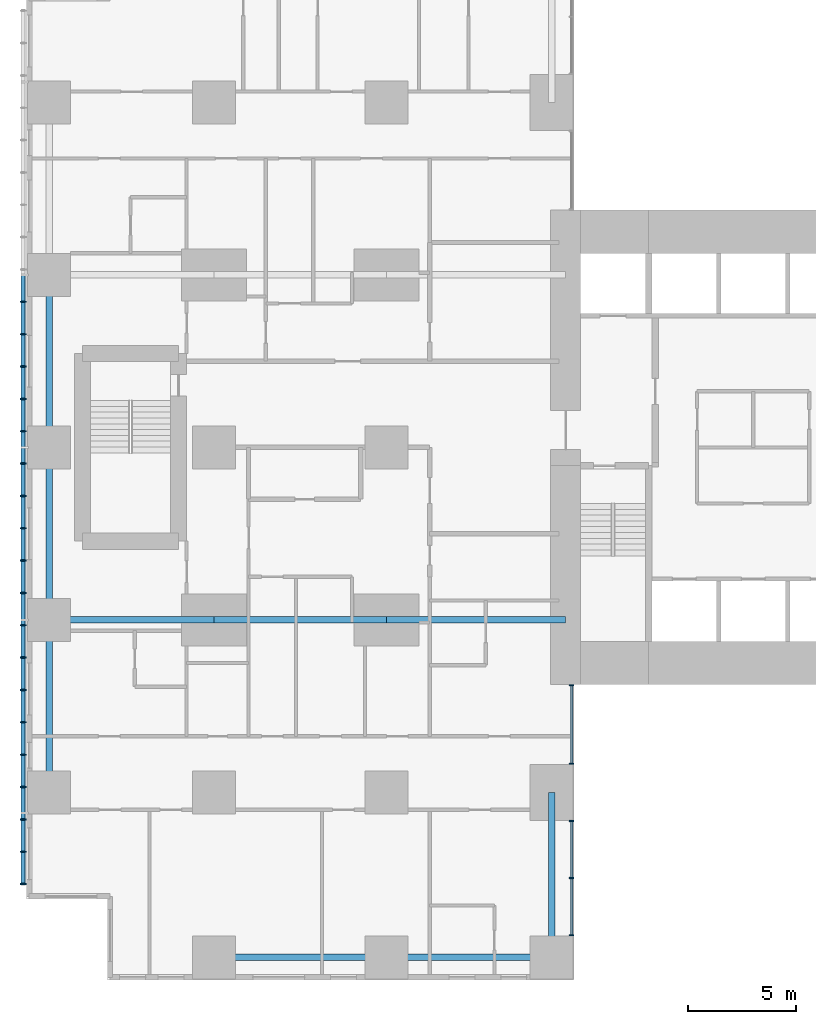
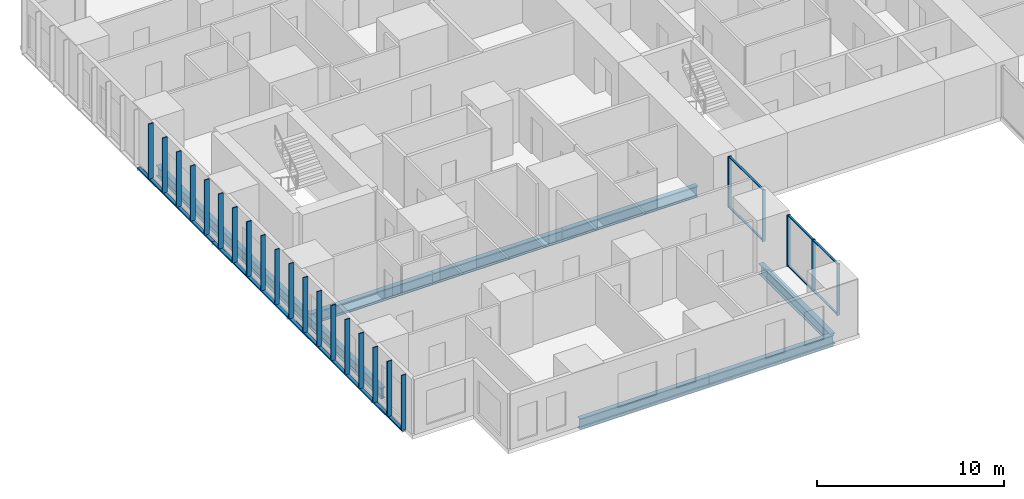
# One storey, part 2 of 20: 33 members, 9 beams, 2 elements without a shape of their own.
"""IFC4 building model written with IfcOpenShell, lengths in metres."""

import ifcopenshell
import ifcopenshell.guid

model = None  # the IFC model being written
_history = None  # IfcOwnerHistory: only IFC2X3 demands one
_inside = {}  # id of a spatial element -> (the spatial element, [elements in it])
_under = {}  # id of a project, library or spatial element -> (it, [spatial elements below it])
_declared = {}  # id of a project -> (the project, [libraries it declares])
_typed = {}  # id of a type object -> (the type object, [elements of that type])
_made_of = {}  # id of a material, layer set ... -> (it, [elements and type objects made of it])


def new_model(schema):
    """Start an empty IFC model of exactly this schema.

    Asked for "IFC4X3", IfcOpenShell would pick the latest addendum, in which some entities
    have other attributes; the version numbers below select the first issue.
    IFC2X3 requires an IfcOwnerHistory on every rooted entity: one is made here for all.
    """
    global model, _history
    if schema == "IFC4X3":
        model = ifcopenshell.file(schema_version=(4, 3, 0, 0))
    else:
        model = ifcopenshell.file(schema=schema)
    _inside.clear()
    _under.clear()
    _declared.clear()
    _typed.clear()
    _made_of.clear()
    _history = None
    if model.schema == "IFC2X3":
        org = make("IfcOrganization", Name="unknown")
        user = make(
            "IfcPersonAndOrganization",
            ThePerson=make("IfcPerson", FamilyName="unknown"),
            TheOrganization=org,
        )
        app = make(
            "IfcApplication",
            ApplicationDeveloper=org,
            Version="unknown",
            ApplicationFullName="unknown",
            ApplicationIdentifier="unknown",
        )
        _history = make(
            "IfcOwnerHistory",
            OwningUser=user,
            OwningApplication=app,
            ChangeAction="ADDED",
            CreationDate=0,
        )
    return model


def make(cls, **values):
    """One entity of the class cls with the attributes given. An attribute that is None is left unset."""
    return model.create_entity(
        cls, **{name: value for name, value in values.items() if value is not None}
    )


def rooted(cls, **values):
    """An entity with a GlobalId (a new one), such as an element, a storey or a relation."""
    return make(cls, GlobalId=ifcopenshell.guid.new(), OwnerHistory=_history, **values)


def si_unit(unit_type, name, prefix=None):
    """IfcSIUnit, for example si_unit("LENGTHUNIT", "METRE", prefix="MILLI")."""
    return make("IfcSIUnit", UnitType=unit_type, Prefix=prefix, Name=name)


def assignment(units):
    """IfcUnitAssignment: the units of a project."""
    return None if units is None else make("IfcUnitAssignment", Units=units)


def point(xyz):
    """IfcCartesianPoint."""
    return None if xyz is None else make("IfcCartesianPoint", Coordinates=xyz)


def direction(xyz):
    """IfcDirection."""
    return None if xyz is None else make("IfcDirection", DirectionRatios=xyz)


def frame(location, z_axis=None, x_axis=None):
    """IfcAxis2Placement3D, a coordinate frame: its origin and axes. An axis left out is left unset."""
    return make(
        "IfcAxis2Placement3D",
        Location=point(location),
        Axis=direction(z_axis),
        RefDirection=direction(x_axis),
    )


def frame_2d(location, x_axis=None):
    """IfcAxis2Placement2D, a coordinate frame in the plane: its origin and x axis."""
    return make(
        "IfcAxis2Placement2D", Location=point(location), RefDirection=direction(x_axis)
    )


def origin():
    """The frame at (0, 0, 0) with its axes left unset."""
    return frame((0.0, 0.0, 0.0))


def origin_2d():
    """The frame at (0, 0) in the plane with its x axis left unset."""
    return frame_2d((0.0, 0.0))


def place(relative_to, where):
    """IfcLocalPlacement: puts the frame where relative to a parent placement (None: the world)."""
    return make(
        "IfcLocalPlacement", PlacementRelTo=relative_to, RelativePlacement=where
    )


def context(
    kind, dimensions, precision=None, world=None, true_north=None, identifier=None
):
    """IfcGeometricRepresentationContext, for example the 3D "Model" context."""
    return make(
        "IfcGeometricRepresentationContext",
        ContextIdentifier=identifier,
        ContextType=kind,
        CoordinateSpaceDimension=dimensions,
        Precision=precision,
        WorldCoordinateSystem=world,
        TrueNorth=true_north,
    )


def subcontext(parent, identifier, kind, view, scale=None):
    """IfcGeometricRepresentationSubContext, for example "Body" below "Model"."""
    return make(
        "IfcGeometricRepresentationSubContext",
        ContextIdentifier=identifier,
        ContextType=kind,
        ParentContext=parent,
        TargetScale=scale,
        TargetView=view,
    )


def project(units=None, contexts=None):
    """IfcProject with its units and contexts."""
    return rooted(
        "IfcProject",
        Name="project",
        RepresentationContexts=contexts,
        UnitsInContext=assignment(units),
    )


def spatial(cls, under=None, at=None, **own):
    """A site, building, storey or space (cls), placed at a placement, below another one or the project."""
    s = rooted(cls, ObjectPlacement=at, **own)
    if under is not None:
        _under.setdefault(under.id(), (under, []))[1].append(s)
    return s


def profile(cls, at=None, kind="AREA", **sizes):
    """A parametric profile (cls). Its sizes go by their IFC names, for example OverallWidth=200.0."""
    return make(cls, ProfileType=kind, Position=at, **sizes)


def rectangle(**sizes):
    """IfcRectangleProfileDef."""
    return profile("IfcRectangleProfileDef", **sizes)


def hollow_rectangle(**sizes):
    """IfcRectangleHollowProfileDef."""
    return profile("IfcRectangleHollowProfileDef", **sizes)


def i_section(**sizes):
    """IfcIShapeProfileDef."""
    return profile("IfcIShapeProfileDef", **sizes)


def extrude(swept, where, along, depth):
    """IfcExtrudedAreaSolid: the profile swept, set in the frame where, extruded along a direction by depth."""
    return make(
        "IfcExtrudedAreaSolid",
        SweptArea=swept,
        Position=where,
        ExtrudedDirection=direction(along),
        Depth=depth,
    )


def shape(context_of_items, identifier, shape_type, items):
    """IfcShapeRepresentation: the items that make up one representation, for example the "Body"."""
    return make(
        "IfcShapeRepresentation",
        ContextOfItems=context_of_items,
        RepresentationIdentifier=identifier,
        RepresentationType=shape_type,
        Items=items,
    )


def material(Name=None, Category=None):
    """IfcMaterial."""
    return make("IfcMaterial", Name=Name, Category=Category)


def layer(
    of_material, thickness, ventilated=None, Name=None, Category=None, Priority=None
):
    """IfcMaterialLayer: one layer of a wall or slab, of a material (None: an air gap)."""
    return make(
        "IfcMaterialLayer",
        Material=of_material,
        LayerThickness=thickness,
        IsVentilated=ventilated,
        Name=Name,
        Category=Category,
        Priority=Priority,
    )


def layer_set(layers, Name=None):
    """IfcMaterialLayerSet."""
    return make("IfcMaterialLayerSet", MaterialLayers=layers, LayerSetName=Name)


def material_profile(
    of_material, cross_section, Name=None, Category=None, Priority=None
):
    """IfcMaterialProfile: a cross section and its material."""
    return make(
        "IfcMaterialProfile",
        Name=Name,
        Material=of_material,
        Profile=cross_section,
        Priority=Priority,
        Category=Category,
    )


def profile_set(profiles, Name=None, composite=None):
    """IfcMaterialProfileSet."""
    return make(
        "IfcMaterialProfileSet",
        Name=Name,
        MaterialProfiles=profiles,
        CompositeProfile=composite,
    )


def made_of(thing, what):
    """Note that an element or type object is made of a material, layer set ...; save() writes the relation."""
    if what is not None:
        _made_of.setdefault(what.id(), (what, []))[1].append(thing)
    return thing


def type_object(cls, material=None, **own):
    """A type object (cls), such as IfcWallType, which elements share."""
    return made_of(rooted(cls, **own), material)


def element(
    cls,
    number,
    at=None,
    inside=None,
    cuts=None,
    type_object=None,
    material=None,
    context=None,
    identifier="Body",
    shape_type=None,
    held_by="IfcProductDefinitionShape",
    body=None,
    shapes=None,
    **own,
):
    """One element of the class cls, such as IfcWall. Its Tag is "e" and its number.

    at: its placement. inside: the storey or other place that contains it. cuts: it is an
    opening in that element (IfcRelVoidsElement). A single representation is given by context,
    identifier, shape_type and body (its items); several are given by shapes. held_by: the class
    of the entity that holds the representations. save() writes the other relations.
    """
    e = rooted(cls, Tag="e%d" % number, ObjectPlacement=at, **own)
    if body is not None:
        shapes = [shape(context, identifier, shape_type, body)]
    if shapes is not None:
        e.Representation = make(held_by, Representations=shapes)
    if inside is not None:
        _inside.setdefault(inside.id(), (inside, []))[1].append(e)
    if cuts is not None:
        rooted(
            "IfcRelVoidsElement", RelatingBuildingElement=cuts, RelatedOpeningElement=e
        )
    if type_object is not None:
        _typed.setdefault(type_object.id(), (type_object, []))[1].append(e)
    return made_of(e, material)


def aggregate(whole, parts):
    """IfcRelAggregates: a whole, such as a stair, and the parts it consists of."""
    return rooted("IfcRelAggregates", RelatingObject=whole, RelatedObjects=parts)


def save(model, path):
    """Write the relations noted so far, then the file.

    IfcRelAggregates (storeys below a building ...), IfcRelContainedInSpatialStructure (elements
    in a storey), IfcRelDefinesByType, IfcRelAssociatesMaterial and IfcRelDeclares: one each for
    every whole, place, type object, material and project.
    """
    for whole, parts in _under.values():
        aggregate(whole, parts)
    for where, things in _inside.values():
        rooted(
            "IfcRelContainedInSpatialStructure",
            RelatedElements=things,
            RelatingStructure=where,
        )
    for kind, things in _typed.values():
        rooted("IfcRelDefinesByType", RelatedObjects=things, RelatingType=kind)
    for what, things in _made_of.values():
        rooted("IfcRelAssociatesMaterial", RelatedObjects=things, RelatingMaterial=what)
    for by, libraries in _declared.values():
        rooted("IfcRelDeclares", RelatingContext=by, RelatedDefinitions=libraries)
    model.write(path)


model = new_model("IFC4")

# Units and contexts
model_context = context("Model", 3, precision=1e-05, world=origin(), true_north=direction((0.0, 1.0)))
body_context = subcontext(model_context, "Body", "Model", "MODEL_VIEW")
ifc_project = project(units=[si_unit("LENGTHUNIT", "METRE"), si_unit("AREAUNIT", "SQUARE_METRE"), si_unit("VOLUMEUNIT", "CUBIC_METRE"), si_unit("PLANEANGLEUNIT", "RADIAN"), si_unit("MASSUNIT", "GRAM", prefix="KILO")], contexts=[model_context])

# Site, building, storey
site_placement = place(None, origin())
site = spatial("IfcSite", under=ifc_project, at=site_placement, CompositionType="ELEMENT")
building_placement = place(site_placement, origin())
building = spatial("IfcBuilding", under=site, at=building_placement, Name="Cleftline Residences", CompositionType="ELEMENT")
storey_placement = place(building_placement, frame((0.0, 0.0, 164.60009765625)))
storey = spatial("IfcBuildingStorey", under=building, at=storey_placement, Name="L43", CompositionType="ELEMENT", Elevation=164.60009765625)

# Members
ifc_material_1 = material(Name="Steel S355, hot-dip galvanised", Category="steel")
ifc_material_profile_1 = material_profile(ifc_material_1, hollow_rectangle(XDim=0.10009765625, YDim=0.199951171875, WallThickness=0.008056640625, InnerFilletRadius=0.008056640625, OuterFilletRadius=0.011962890625, at=origin_2d()))
ifc_profile_set_1 = profile_set([ifc_material_profile_1], Name="Steel S355, hot-dip galvanised")
member_type_1 = type_object("IfcMemberType", Name="BAGUETTE CARRIER RHS 200X100X8", PredefinedType="USERDEFINED", material=ifc_profile_set_1)
for number, where, z_axis, x_axis, name in (
    (1, (-0.85009765625, 32.0, -0.050048828125), (0.0, -1.0, 0.0), (0.0, 0.0, 1.0), "Baguette carrier"),
    (2, (-0.85009765625, 24.0, -0.050048828125), (0.0, -1.0, 0.0), (0.0, 0.0, 1.0), "Baguette carrier"),
):
    element("IfcMember", number, at=place(storey_placement, frame(where, z_axis=z_axis, x_axis=x_axis)), inside=storey, type_object=member_type_1, Name=name, ObjectType="BAGUETTE CARRIER", PredefinedType="USERDEFINED", context=body_context, shape_type="SweptSolid", body=[
        extrude(hollow_rectangle(XDim=0.10009765625, YDim=0.199951171875, WallThickness=0.008056640625, InnerFilletRadius=0.008056640625, OuterFilletRadius=0.011962890625, at=origin_2d()), origin(), (0.0, 0.0, 1.0), 8.0),
    ])
member_1_placement = place(storey_placement, frame((-0.85009765625, 16.0, -0.050048828125), z_axis=(0.0, -1.0, 0.0), x_axis=(0.0, 0.0, 1.0)))
element("IfcMember", 3, at=member_1_placement, inside=storey, type_object=member_type_1, Name="Baguette carrier", ObjectType="BAGUETTE CARRIER", PredefinedType="USERDEFINED", context=body_context, shape_type="SweptSolid", body=[
    extrude(hollow_rectangle(XDim=0.10009765625, YDim=0.199951171875, WallThickness=0.008056640625, InnerFilletRadius=0.008056640625, OuterFilletRadius=0.011962890625, at=origin_2d()), origin(), (0.0, 0.0, 1.0), 12.300048828125),
])

# Beams
ifc_material_2 = material(Name="Steel S355", Category="steel")
ifc_material_profile_2 = material_profile(ifc_material_2, i_section(OverallWidth=0.300048828125, OverallDepth=0.699951171875, WebThickness=0.01708984375, FlangeThickness=0.031982421875, FilletRadius=0.027099609375, at=origin_2d()))
ifc_profile_set_2 = profile_set([ifc_material_profile_2], Name="Steel S355")
beam_type_1 = type_object("IfcBeamType", Name="BEAM HEB 700", PredefinedType="BEAM", material=ifc_profile_set_2)
for number, where, z_axis, x_axis, name in (
    (4, (0.35009765625, 8.0, -0.60009765625), (0.0, 1.0, 0.0), (-1.0, 0.0, 0.0), "Edge beam"),
    (5, (0.35009765625, 16.0, -0.60009765625), (0.0, 1.0, 0.0), (-1.0, 0.0, 0.0), "Edge beam"),
    (6, (0.35009765625, 24.0, -0.60009765625), (0.0, 1.0, 0.0), (-1.0, 0.0, 0.0), "Edge beam"),
    (7, (8.0, 0.35009765625, -0.60009765625), (1.0, 0.0, 0.0), (0.0, 1.0, 0.0), "Edge beam"),
):
    element("IfcBeam", number, at=place(storey_placement, frame(where, z_axis=z_axis, x_axis=x_axis)), inside=storey, type_object=beam_type_1, Name=name, PredefinedType="BEAM", context=body_context, shape_type="SweptSolid", body=[
        extrude(i_section(OverallWidth=0.300048828125, OverallDepth=0.699951171875, WebThickness=0.01708984375, FlangeThickness=0.031982421875, FilletRadius=0.027099609375, at=origin_2d()), origin(), (0.0, 0.0, 1.0), 8.0),
    ])
for number, where, z_axis, x_axis, name in (
    (8, (16.0, 0.35009765625, -0.60009765625), (1.0, 0.0, 0.0), (0.0, 1.0, 0.0), "Edge beam"),
    (9, (23.64990234375, 0.35009765625, -0.60009765625), (0.0, 1.0, 0.0), (-1.0, 0.0, 0.0), "Edge beam"),
):
    element("IfcBeam", number, at=place(storey_placement, frame(where, z_axis=z_axis, x_axis=x_axis)), inside=storey, type_object=beam_type_1, Name=name, PredefinedType="BEAM", context=body_context, shape_type="SweptSolid", body=[
        extrude(i_section(OverallWidth=0.300048828125, OverallDepth=0.699951171875, WebThickness=0.01708984375, FlangeThickness=0.031982421875, FilletRadius=0.027099609375, at=origin_2d()), origin(), (0.0, 0.0, 1.0), 7.64990234375),
    ])
ifc_material_3 = material(Name="Steel S355", Category="steel")
ifc_material_profile_3 = material_profile(ifc_material_3, i_section(OverallWidth=0.303955078125, OverallDepth=0.716064453125, WebThickness=0.02099609375, FlangeThickness=0.0400390625, FilletRadius=0.027099609375, at=origin_2d()))
ifc_profile_set_3 = profile_set([ifc_material_profile_3], Name="Steel S355")
beam_type_2 = type_object("IfcBeamType", Name="BEAM HEM 700", PredefinedType="BEAM", material=ifc_profile_set_3)
beam_1_placement = place(storey_placement, frame((0.35009765625, 16.0, -0.608154296875), z_axis=(1.0, 0.0, 0.0), x_axis=(0.0, 1.0, 0.0)))
element("IfcBeam", 10, at=beam_1_placement, inside=storey, type_object=beam_type_2, Name="Band beam", PredefinedType="BEAM", context=body_context, shape_type="SweptSolid", body=[
    extrude(i_section(OverallWidth=0.303955078125, OverallDepth=0.716064453125, WebThickness=0.02099609375, FlangeThickness=0.0400390625, FilletRadius=0.027099609375, at=origin_2d()), origin(), (0.0, 0.0, 1.0), 7.64990234375),
])
beam_2_placement = place(storey_placement, frame((8.0, 16.0, -0.608154296875), z_axis=(1.0, 0.0, 0.0), x_axis=(0.0, 1.0, 0.0)))
element("IfcBeam", 11, at=beam_2_placement, inside=storey, type_object=beam_type_2, Name="Band beam", PredefinedType="BEAM", context=body_context, shape_type="SweptSolid", body=[
    extrude(i_section(OverallWidth=0.303955078125, OverallDepth=0.716064453125, WebThickness=0.02099609375, FlangeThickness=0.0400390625, FilletRadius=0.027099609375, at=origin_2d()), origin(), (0.0, 0.0, 1.0), 8.0),
])
beam_3_placement = place(storey_placement, frame((16.0, 16.0, -0.608154296875), z_axis=(1.0, 0.0, 0.0), x_axis=(0.0, 1.0, 0.0)))
element("IfcBeam", 12, at=beam_3_placement, inside=storey, type_object=beam_type_2, Name="Band beam", PredefinedType="BEAM", context=body_context, shape_type="SweptSolid", body=[
    extrude(i_section(OverallWidth=0.303955078125, OverallDepth=0.716064453125, WebThickness=0.02099609375, FlangeThickness=0.0400390625, FilletRadius=0.027099609375, at=origin_2d()), origin(), (0.0, 0.0, 1.0), 8.300048828125),
])

# Curtain wall, members
ifc_material_4 = material(Name="Aluminium framed curtain wall", Category="aluminium")
ifc_layer = layer(ifc_material_4, 0.199951171875)
ifc_layer_set = layer_set([ifc_layer], Name="CW1 CLEFT GLAZING")
curtain_wall_type = type_object("IfcCurtainWallType", Name="CW1 CLEFT GLAZING", PredefinedType="NOTDEFINED", material=ifc_layer_set)
curtain_wall_1_placement = place(storey_placement, origin())
curtain_wall_1 = element("IfcCurtainWall", 13, at=curtain_wall_1_placement, inside=storey, type_object=curtain_wall_type, Name="Curtain wall CW1", PredefinedType="NOTDEFINED")
ifc_material_5 = material(Name="Aluminium mullion", Category="aluminium")
ifc_material_profile_4 = material_profile(ifc_material_5, rectangle(XDim=0.199951171875, YDim=0.06005859375, at=origin_2d()))
ifc_profile_set_4 = profile_set([ifc_material_profile_4], Name="Aluminium mullion")
member_type_2 = type_object("IfcMemberType", Name="CW1 MULLION", PredefinedType="MULLION", material=ifc_profile_set_4)
member_2_placement = place(storey_placement, frame((24.574951171875, 1.3798828125, 0.0), z_axis=(0.0, 0.0, 1.0), x_axis=(-1.0, 0.0, 0.0)))
member_2 = element("IfcMember", 14, at=member_2_placement, type_object=member_type_2, Name="CW1 mullion 1", PredefinedType="MULLION", context=body_context, shape_type="SweptSolid", body=[
    extrude(rectangle(XDim=0.199951171875, YDim=0.06005859375, at=origin_2d()), origin(), (0.0, 0.0, 1.0), 3.349853515625),
])
member_3_placement = place(storey_placement, frame((24.574951171875, 4.02490234375, 0.0), z_axis=(0.0, 0.0, 1.0), x_axis=(-1.0, 0.0, 0.0)))
member_3 = element("IfcMember", 15, at=member_3_placement, type_object=member_type_2, Name="CW1 mullion 2", PredefinedType="MULLION", context=body_context, shape_type="SweptSolid", body=[
    extrude(rectangle(XDim=0.199951171875, YDim=0.06005859375, at=origin_2d()), origin(), (0.0, 0.0, 1.0), 3.349853515625),
])
member_4_placement = place(storey_placement, frame((24.574951171875, 6.669921875, 0.0), z_axis=(0.0, 0.0, 1.0), x_axis=(-1.0, 0.0, 0.0)))
member_4 = element("IfcMember", 16, at=member_4_placement, type_object=member_type_2, Name="CW1 mullion 3", PredefinedType="MULLION", context=body_context, shape_type="SweptSolid", body=[
    extrude(rectangle(XDim=0.199951171875, YDim=0.06005859375, at=origin_2d()), origin(), (0.0, 0.0, 1.0), 3.349853515625),
])

curtain_wall_2_placement = place(storey_placement, origin())
curtain_wall_2 = element("IfcCurtainWall", 17, at=curtain_wall_2_placement, inside=storey, type_object=curtain_wall_type, Name="Curtain wall CW1", PredefinedType="NOTDEFINED")
member_5_placement = place(storey_placement, frame((24.574951171875, 9.330078125, 0.0), z_axis=(0.0, 0.0, 1.0), x_axis=(-1.0, 0.0, 0.0)))
member_5 = element("IfcMember", 18, at=member_5_placement, type_object=member_type_2, Name="CW1 mullion 1", PredefinedType="MULLION", context=body_context, shape_type="SweptSolid", body=[
    extrude(rectangle(XDim=0.199951171875, YDim=0.06005859375, at=origin_2d()), origin(), (0.0, 0.0, 1.0), 3.349853515625),
])
member_6_placement = place(storey_placement, frame((24.574951171875, 12.969970703125, 0.0), z_axis=(0.0, 0.0, 1.0), x_axis=(-1.0, 0.0, 0.0)))
member_6 = element("IfcMember", 19, at=member_6_placement, type_object=member_type_2, Name="CW1 mullion 2", PredefinedType="MULLION", context=body_context, shape_type="SweptSolid", body=[
    extrude(rectangle(XDim=0.199951171875, YDim=0.06005859375, at=origin_2d()), origin(), (0.0, 0.0, 1.0), 3.349853515625),
])

# Member
ifc_material_6 = material(Name="Aluminium transom", Category="aluminium")
ifc_material_profile_5 = material_profile(ifc_material_6, rectangle(XDim=0.1201171875, YDim=0.06005859375, at=origin_2d()))
ifc_profile_set_5 = profile_set([ifc_material_profile_5], Name="Aluminium transom")
member_type_3 = type_object("IfcMemberType", Name="CW1 TRANSOM", PredefinedType="USERDEFINED", material=ifc_profile_set_5)
member_7_placement = place(storey_placement, frame((24.574951171875, 1.409912109375, 0.02978515625), z_axis=(0.0, 1.0, 0.0), x_axis=(-1.0, 0.0, 0.0)))
member_7 = element("IfcMember", 20, at=member_7_placement, type_object=member_type_3, Name="CW1 transom 1.1", ObjectType="TRANSOM", PredefinedType="USERDEFINED", context=body_context, shape_type="SweptSolid", body=[
    extrude(rectangle(XDim=0.1201171875, YDim=0.06005859375, at=origin_2d()), origin(), (0.0, 0.0, 1.0), 2.585205078125),
])

member_8_placement = place(storey_placement, frame((24.574951171875, 1.409912109375, 3.31982421875), z_axis=(0.0, 1.0, 0.0), x_axis=(-1.0, 0.0, 0.0)))
member_8 = element("IfcMember", 21, at=member_8_placement, type_object=member_type_3, Name="CW1 transom 1.2", ObjectType="TRANSOM", PredefinedType="USERDEFINED", context=body_context, shape_type="SweptSolid", body=[
    extrude(rectangle(XDim=0.1201171875, YDim=0.06005859375, at=origin_2d()), origin(), (0.0, 0.0, 1.0), 2.585205078125),
])

member_9_placement = place(storey_placement, frame((24.574951171875, 4.054931640625, 0.02978515625), z_axis=(0.0, 1.0, 0.0), x_axis=(-1.0, 0.0, 0.0)))
member_9 = element("IfcMember", 22, at=member_9_placement, type_object=member_type_3, Name="CW1 transom 2.1", ObjectType="TRANSOM", PredefinedType="USERDEFINED", context=body_context, shape_type="SweptSolid", body=[
    extrude(rectangle(XDim=0.1201171875, YDim=0.06005859375, at=origin_2d()), origin(), (0.0, 0.0, 1.0), 2.5849609375),
])

member_10_placement = place(storey_placement, frame((24.574951171875, 4.054931640625, 3.31982421875), z_axis=(0.0, 1.0, 0.0), x_axis=(-1.0, 0.0, 0.0)))
member_10 = element("IfcMember", 23, at=member_10_placement, type_object=member_type_3, Name="CW1 transom 2.2", ObjectType="TRANSOM", PredefinedType="USERDEFINED", context=body_context, shape_type="SweptSolid", body=[
    extrude(rectangle(XDim=0.1201171875, YDim=0.06005859375, at=origin_2d()), origin(), (0.0, 0.0, 1.0), 2.5849609375),
])

aggregate(curtain_wall_1, [member_2, member_3, member_4, member_7, member_8, member_9, member_10])

member_11_placement = place(storey_placement, frame((24.574951171875, 9.360107421875, 0.02978515625), z_axis=(0.0, 1.0, 0.0), x_axis=(-1.0, 0.0, 0.0)))
member_11 = element("IfcMember", 24, at=member_11_placement, type_object=member_type_3, Name="CW1 transom 1.1", ObjectType="TRANSOM", PredefinedType="USERDEFINED", context=body_context, shape_type="SweptSolid", body=[
    extrude(rectangle(XDim=0.1201171875, YDim=0.06005859375, at=origin_2d()), origin(), (0.0, 0.0, 1.0), 3.579833984375),
])

member_12_placement = place(storey_placement, frame((24.574951171875, 9.360107421875, 3.31982421875), z_axis=(0.0, 1.0, 0.0), x_axis=(-1.0, 0.0, 0.0)))
member_12 = element("IfcMember", 25, at=member_12_placement, type_object=member_type_3, Name="CW1 transom 1.2", ObjectType="TRANSOM", PredefinedType="USERDEFINED", context=body_context, shape_type="SweptSolid", body=[
    extrude(rectangle(XDim=0.1201171875, YDim=0.06005859375, at=origin_2d()), origin(), (0.0, 0.0, 1.0), 3.579833984375),
])

aggregate(curtain_wall_2, [member_5, member_6, member_11, member_12])

# Members
ifc_material_7 = material(Name="Extruded terracotta", Category="masonry")
ifc_material_profile_6 = material_profile(ifc_material_7, rectangle(XDim=0.06005859375, YDim=0.300048828125, at=origin_2d()))
ifc_profile_set_6 = profile_set([ifc_material_profile_6], Name="Extruded terracotta")
member_type_4 = type_object("IfcMemberType", Name="TERRACOTTA BAGUETTE 60X300", PredefinedType="USERDEFINED", material=ifc_profile_set_6)
for number, where, z_axis, x_axis, name in (
    (26, (-0.85009765625, 30.75, 0.0), (0.0, 0.0, 1.0), (0.0, 1.0, 0.0), "Terracotta baguette"),
    (27, (-0.85009765625, 29.25, 0.0), (0.0, 0.0, 1.0), (0.0, 1.0, 0.0), "Terracotta baguette"),
    (28, (-0.85009765625, 27.75, 0.0), (0.0, 0.0, 1.0), (0.0, 1.0, 0.0), "Terracotta baguette"),
    (29, (-0.85009765625, 26.25, 0.0), (0.0, 0.0, 1.0), (0.0, 1.0, 0.0), "Terracotta baguette"),
    (30, (-0.85009765625, 24.75, 0.0), (0.0, 0.0, 1.0), (0.0, 1.0, 0.0), "Terracotta baguette"),
    (31, (-0.85009765625, 23.25, 0.0), (0.0, 0.0, 1.0), (0.0, 1.0, 0.0), "Terracotta baguette"),
    (32, (-0.85009765625, 21.75, 0.0), (0.0, 0.0, 1.0), (0.0, 1.0, 0.0), "Terracotta baguette"),
    (33, (-0.85009765625, 20.25, 0.0), (0.0, 0.0, 1.0), (0.0, 1.0, 0.0), "Terracotta baguette"),
    (34, (-0.85009765625, 18.75, 0.0), (0.0, 0.0, 1.0), (0.0, 1.0, 0.0), "Terracotta baguette"),
    (35, (-0.85009765625, 17.25, 0.0), (0.0, 0.0, 1.0), (0.0, 1.0, 0.0), "Terracotta baguette"),
    (36, (-0.85009765625, 15.75, 0.0), (0.0, 0.0, 1.0), (0.0, 1.0, 0.0), "Terracotta baguette"),
    (37, (-0.85009765625, 14.25, 0.0), (0.0, 0.0, 1.0), (0.0, 1.0, 0.0), "Terracotta baguette"),
    (38, (-0.85009765625, 12.75, 0.0), (0.0, 0.0, 1.0), (0.0, 1.0, 0.0), "Terracotta baguette"),
    (39, (-0.85009765625, 11.25, 0.0), (0.0, 0.0, 1.0), (0.0, 1.0, 0.0), "Terracotta baguette"),
    (40, (-0.85009765625, 9.75, 0.0), (0.0, 0.0, 1.0), (0.0, 1.0, 0.0), "Terracotta baguette"),
    (41, (-0.85009765625, 8.25, 0.0), (0.0, 0.0, 1.0), (0.0, 1.0, 0.0), "Terracotta baguette"),
    (42, (-0.85009765625, 6.75, 0.0), (0.0, 0.0, 1.0), (0.0, 1.0, 0.0), "Terracotta baguette"),
    (43, (-0.85009765625, 5.25, 0.0), (0.0, 0.0, 1.0), (0.0, 1.0, 0.0), "Terracotta baguette"),
    (44, (-0.85009765625, 3.75, 0.0), (0.0, 0.0, 1.0), (0.0, 1.0, 0.0), "Terracotta baguette"),
):
    element("IfcMember", number, at=place(storey_placement, frame(where, z_axis=z_axis, x_axis=x_axis)), inside=storey, type_object=member_type_4, Name=name, ObjectType="BAGUETTE", PredefinedType="USERDEFINED", context=body_context, shape_type="SweptSolid", body=[
        extrude(rectangle(XDim=0.06005859375, YDim=0.300048828125, at=origin_2d()), origin(), (0.0, 0.0, 1.0), 3.599853515625),
    ])

save(model, "model.ifc")
